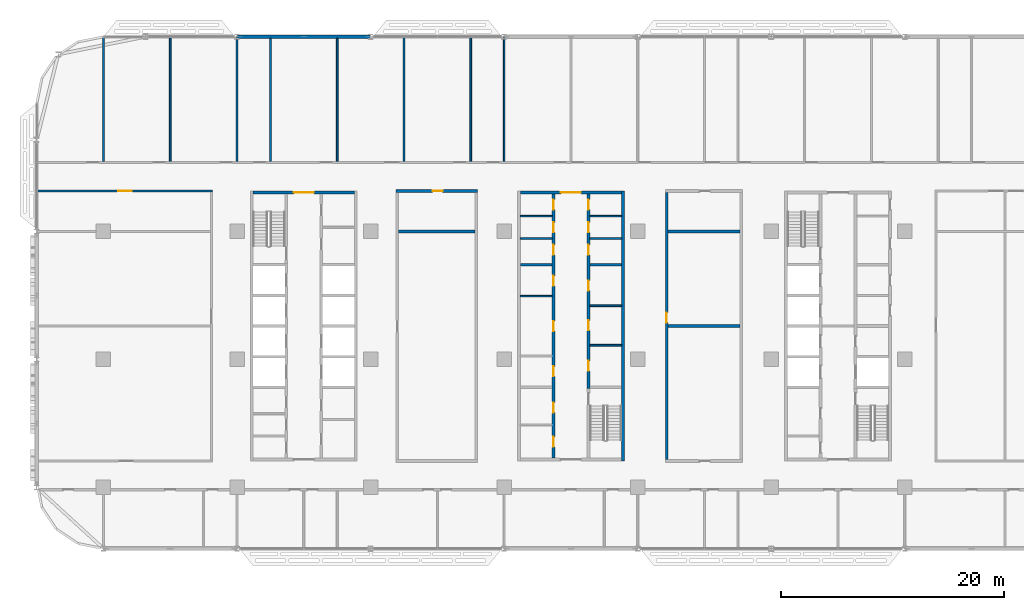
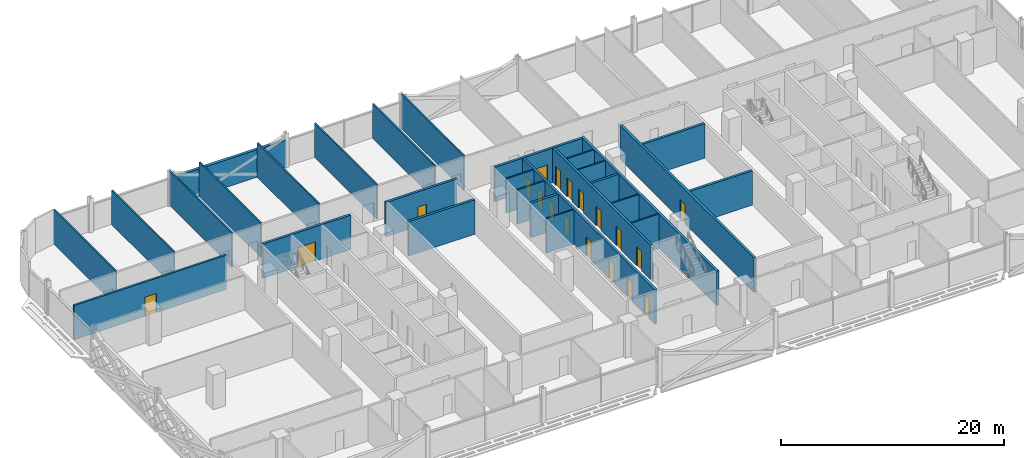
# One storey, part 15 of 29: 29 walls, 19 doors, 19 openings.
"""IFC4 building model written with IfcOpenShell, lengths in metres."""

from ifc_helpers import new_model, si_unit, direction, frame, frame_2d, origin, place, context, subcontext, project, spatial, rectangle, extrude, material, layer, layer_set, type_object, element, fill, save


model = new_model("IFC4")

# Units and contexts
model_context = context("Model", 3, precision=1e-05, world=origin(), true_north=direction((0.0, 1.0)))
body_context = subcontext(model_context, "Body", "Model", "MODEL_VIEW")
ifc_project = project(units=[si_unit("LENGTHUNIT", "METRE"), si_unit("AREAUNIT", "SQUARE_METRE"), si_unit("VOLUMEUNIT", "CUBIC_METRE"), si_unit("PLANEANGLEUNIT", "RADIAN"), si_unit("MASSUNIT", "GRAM", prefix="KILO")], contexts=[model_context])

# Site, building, storey
site_placement = place(None, origin())
site = spatial("IfcSite", under=ifc_project, at=site_placement, CompositionType="ELEMENT")
building_placement = place(site_placement, origin())
building = spatial("IfcBuilding", under=site, at=building_placement, Name="Mahtab Terrace Research Tower", CompositionType="ELEMENT")
storey_placement = place(building_placement, frame((0.0, 0.0, 142.5)))
storey = spatial("IfcBuildingStorey", under=building, at=storey_placement, Name="L33", CompositionType="ELEMENT", Elevation=142.5)

# Walls
ifc_material_1 = material(Name="Gypsum board partition")
ifc_layer_1 = layer(ifc_material_1, 0.14990234375)
ifc_layer_set_1 = layer_set([ifc_layer_1], Name="Core partition 150")
wall_type_1 = type_object("IfcWallType", Name="Core partition 150", PredefinedType="PARTITIONING", material=ifc_layer_set_1)
for number, where, z_axis, x_axis, name in (
    (1, (-4.550048828125, 5.6875, 0.0), (0.0, 0.0, 1.0), (1.0, 0.0, 0.0), "Core wall B pWL269"),
    (2, (1.699951171875, 1.280029296875, 0.0), (0.0, 0.0, 1.0), (1.0, 0.0, 0.0), "Core wall B pEL-172"),
    (3, (1.699951171875, 4.827392578125, 0.0), (0.0, 0.0, 1.0), (1.0, 0.0, 0.0), "Core wall B pEL183"),
    (4, (-4.550048828125, 10.875, 0.0), (0.0, 0.0, 1.0), (1.0, 0.0, 0.0), "Core wall B pWN788"),
    (5, (-4.550048828125, 12.875, 0.0), (0.0, 0.0, 1.0), (1.0, 0.0, 0.0), "Core wall B pWN988"),
    (6, (1.699951171875, 10.875, 0.0), (0.0, 0.0, 1.0), (1.0, 0.0, 0.0), "Core wall B pEN788"),
    (7, (1.699951171875, 12.875, 0.0), (0.0, 0.0, 1.0), (1.0, 0.0, 0.0), "Core wall B pEN988"),
):
    element("IfcWall", number, at=place(storey_placement, frame(where, z_axis=z_axis, x_axis=x_axis)), inside=storey, type_object=wall_type_1, Name=name, PredefinedType="PARTITIONING", context=body_context, shape_type="SweptSolid", body=[
        extrude(rectangle(XDim=2.85009765625, YDim=0.14990234375, at=frame_2d((1.425048828125, 0.0))), origin(), (0.0, 0.0, 1.0), 3.760009765625),
    ])

# Wall, opening, door
ifc_material_2 = material(Name="Concrete C70/85", Category="concrete")
ifc_layer_2 = layer(ifc_material_2, 0.25)
ifc_layer_set_2 = layer_set([ifc_layer_2], Name="Core wall 250")
wall_type_2 = type_object("IfcWallType", Name="Core wall 250", PredefinedType="SOLIDWALL", material=ifc_layer_set_2)
wall_1_placement = place(storey_placement, frame((-28.550048828125, 15.0, 0.0), z_axis=(0.0, 0.0, 1.0), x_axis=(1.0, 0.0, 0.0)))
wall_1 = element("IfcWall", 8, at=wall_1_placement, inside=storey, type_object=wall_type_2, Name="Core wall A endN", PredefinedType="SOLIDWALL", context=body_context, shape_type="SweptSolid", body=[
    extrude(rectangle(XDim=9.10009765625, YDim=0.25, at=frame_2d((4.550048828125, 0.0))), origin(), (0.0, 0.0, 1.0), 3.760009765625),
])
opening_1_placement = place(wall_1_placement, frame((3.64990234375, 0.0, 0.0)))
opening_1 = element("IfcOpeningElement", 9, at=opening_1_placement, cuts=wall_1, Name="Opening A-N1", PredefinedType="OPENING", context=body_context, shape_type="SweptSolid", body=[
    extrude(rectangle(XDim=1.800048828125, YDim=2.10009765625, at=frame_2d((0.89990234375, 1.050048828125))), frame((0.0, 0.135009765625, 0.0), z_axis=(0.0, -1.0, 0.0), x_axis=(1.0, 0.0, 0.0)), (0.0, 0.0, 1.0), 0.27001953125),
])
ifc_material_3 = material(Name="Steel fire door", Category="steel")
door_type_1 = type_object("IfcDoorType", Name="Lobby double door 1800x2100 1 HR", OperationType="DOUBLE_DOOR_SINGLE_SWING", PredefinedType="DOOR", material=ifc_material_3)
door_1_placement = place(opening_1_placement, origin())
door_1 = element("IfcDoor", 10, at=door_1_placement, inside=storey, type_object=door_type_1, Name="Core entrance door A N", OperationType="DOUBLE_DOOR_SINGLE_SWING", OverallHeight=2.10009765625, OverallWidth=1.800048828125, PredefinedType="DOOR", context=body_context, shape_type="SweptSolid", body=[
    extrude(rectangle(XDim=1.800048828125, YDim=2.10009765625, at=frame_2d((0.89990234375, 1.050048828125))), frame((0.0, 0.02490234375, 0.0), z_axis=(0.0, -1.0, 0.0), x_axis=(1.0, 0.0, 0.0)), (0.0, 0.0, 1.0), 0.050048828125),
])
fill(opening_1, door_1)

# Wall
wall_2_placement = place(storey_placement, frame((4.675048828125, -9.125, 0.0), z_axis=(0.0, 0.0, 1.0), x_axis=(0.0, 1.0, 0.0)))
element("IfcWall", 11, at=wall_2_placement, inside=storey, type_object=wall_type_2, Name="Core wall B outerE", PredefinedType="SOLIDWALL", context=body_context, shape_type="SweptSolid", body=[
    extrude(rectangle(XDim=24.25, YDim=0.25, at=frame_2d((12.125, 0.0))), origin(), (0.0, 0.0, 1.0), 3.760009765625),
])

# Wall, opening, door
wall_3_placement = place(storey_placement, frame((-4.550048828125, 15.0, 0.0), z_axis=(0.0, 0.0, 1.0), x_axis=(1.0, 0.0, 0.0)))
wall_3 = element("IfcWall", 12, at=wall_3_placement, inside=storey, type_object=wall_type_2, Name="Core wall B endN", PredefinedType="SOLIDWALL", context=body_context, shape_type="SweptSolid", body=[
    extrude(rectangle(XDim=9.10009765625, YDim=0.25, at=frame_2d((4.550048828125, 0.0))), origin(), (0.0, 0.0, 1.0), 3.760009765625),
])
opening_2_placement = place(wall_3_placement, frame((3.64990234375, 0.0, 0.0)))
opening_2 = element("IfcOpeningElement", 13, at=opening_2_placement, cuts=wall_3, Name="Opening B-N1", PredefinedType="OPENING", context=body_context, shape_type="SweptSolid", body=[
    extrude(rectangle(XDim=1.800048828125, YDim=2.10009765625, at=frame_2d((0.89990234375, 1.050048828125))), frame((0.0, 0.135009765625, 0.0), z_axis=(0.0, -1.0, 0.0), x_axis=(1.0, 0.0, 0.0)), (0.0, 0.0, 1.0), 0.27001953125),
])
door_2_placement = place(opening_2_placement, origin())
door_2 = element("IfcDoor", 14, at=door_2_placement, inside=storey, type_object=door_type_1, Name="Core entrance door B N", OperationType="DOUBLE_DOOR_SINGLE_SWING", OverallHeight=2.10009765625, OverallWidth=1.800048828125, PredefinedType="DOOR", context=body_context, shape_type="SweptSolid", body=[
    extrude(rectangle(XDim=1.800048828125, YDim=2.10009765625, at=frame_2d((0.89990234375, 1.050048828125))), frame((0.0, 0.02490234375, 0.0), z_axis=(0.0, -1.0, 0.0), x_axis=(1.0, 0.0, 0.0)), (0.0, 0.0, 1.0), 0.050048828125),
])
fill(opening_2, door_2)

# Wall, openings, doors
wall_4_placement = place(storey_placement, frame((-1.574951171875, -8.875, 0.0), z_axis=(0.0, 0.0, 1.0), x_axis=(0.0, 1.0, 0.0)))
wall_4 = element("IfcWall", 15, at=wall_4_placement, inside=storey, type_object=wall_type_2, Name="Core wall B innerWSLN", PredefinedType="SOLIDWALL", context=body_context, shape_type="SweptSolid", body=[
    extrude(rectangle(XDim=23.75, YDim=0.25, at=frame_2d((11.875, 0.0))), origin(), (0.0, 0.0, 1.0), 3.760009765625),
])
opening_3_placement = place(wall_4_placement, frame((7.356201171875, 0.0, 0.0)))
opening_3 = element("IfcOpeningElement", 16, at=opening_3_placement, cuts=wall_4, Name="Opening B-R1", PredefinedType="OPENING", context=body_context, shape_type="SweptSolid", body=[
    extrude(rectangle(XDim=0.89990234375, YDim=2.10009765625, at=frame_2d((0.449951171875, 1.050048828125))), frame((0.0, 0.135009765625, 0.0), z_axis=(0.0, -1.0, 0.0), x_axis=(1.0, 0.0, 0.0)), (0.0, 0.0, 1.0), 0.27001953125),
])
opening_4_placement = place(wall_4_placement, frame((11.425048828125, 0.0, 0.0)))
opening_4 = element("IfcOpeningElement", 17, at=opening_4_placement, cuts=wall_4, Name="Opening B-R2", PredefinedType="OPENING", context=body_context, shape_type="SweptSolid", body=[
    extrude(rectangle(XDim=0.89990234375, YDim=2.10009765625, at=frame_2d((0.449951171875, 1.050048828125))), frame((0.0, 0.135009765625, 0.0), z_axis=(0.0, -1.0, 0.0), x_axis=(1.0, 0.0, 0.0)), (0.0, 0.0, 1.0), 0.27001953125),
])
opening_5_placement = place(wall_4_placement, frame((15.493896484375, 0.0, 0.0)))
opening_5 = element("IfcOpeningElement", 18, at=opening_5_placement, cuts=wall_4, Name="Opening B-R3", PredefinedType="OPENING", context=body_context, shape_type="SweptSolid", body=[
    extrude(rectangle(XDim=0.89990234375, YDim=2.10009765625, at=frame_2d((0.449951171875, 1.050048828125))), frame((0.0, 0.135009765625, 0.0), z_axis=(0.0, -1.0, 0.0), x_axis=(1.0, 0.0, 0.0)), (0.0, 0.0, 1.0), 0.27001953125),
])
opening_6_placement = place(wall_4_placement, frame((1.012451171875, 0.0, 0.0)))
opening_6 = element("IfcOpeningElement", 19, at=opening_6_placement, cuts=wall_4, Name="Opening B-R7", PredefinedType="OPENING", context=body_context, shape_type="SweptSolid", body=[
    extrude(rectangle(XDim=0.89990234375, YDim=2.10009765625, at=frame_2d((0.449951171875, 1.050048828125))), frame((0.0, 0.135009765625, 0.0), z_axis=(0.0, -1.0, 0.0), x_axis=(1.0, 0.0, 0.0)), (0.0, 0.0, 1.0), 0.27001953125),
])
opening_7_placement = place(wall_4_placement, frame((4.08740234375, 0.0, 0.0)))
opening_7 = element("IfcOpeningElement", 20, at=opening_7_placement, cuts=wall_4, Name="Opening B-R8", PredefinedType="OPENING", context=body_context, shape_type="SweptSolid", body=[
    extrude(rectangle(XDim=0.89990234375, YDim=2.10009765625, at=frame_2d((0.449951171875, 1.050048828125))), frame((0.0, 0.135009765625, 0.0), z_axis=(0.0, -1.0, 0.0), x_axis=(1.0, 0.0, 0.0)), (0.0, 0.0, 1.0), 0.27001953125),
])
opening_8_placement = place(wall_4_placement, frame((18.262451171875, 0.0, 0.0)))
opening_8 = element("IfcOpeningElement", 21, at=opening_8_placement, cuts=wall_4, Name="Opening B-R9", PredefinedType="OPENING", context=body_context, shape_type="SweptSolid", body=[
    extrude(rectangle(XDim=0.89990234375, YDim=2.10009765625, at=frame_2d((0.449951171875, 1.050048828125))), frame((0.0, 0.135009765625, 0.0), z_axis=(0.0, -1.0, 0.0), x_axis=(1.0, 0.0, 0.0)), (0.0, 0.0, 1.0), 0.27001953125),
])
opening_9_placement = place(wall_4_placement, frame((20.300048828125, 0.0, 0.0)))
opening_9 = element("IfcOpeningElement", 22, at=opening_9_placement, cuts=wall_4, Name="Opening B-R10", PredefinedType="OPENING", context=body_context, shape_type="SweptSolid", body=[
    extrude(rectangle(XDim=0.89990234375, YDim=2.10009765625, at=frame_2d((0.449951171875, 1.050048828125))), frame((0.0, 0.135009765625, 0.0), z_axis=(0.0, -1.0, 0.0), x_axis=(1.0, 0.0, 0.0)), (0.0, 0.0, 1.0), 0.27001953125),
])
opening_10_placement = place(wall_4_placement, frame((22.33740234375, 0.0, 0.0)))
opening_10 = element("IfcOpeningElement", 23, at=opening_10_placement, cuts=wall_4, Name="Opening B-R11", PredefinedType="OPENING", context=body_context, shape_type="SweptSolid", body=[
    extrude(rectangle(XDim=0.89990234375, YDim=2.10009765625, at=frame_2d((0.449951171875, 1.050048828125))), frame((0.0, 0.135009765625, 0.0), z_axis=(0.0, -1.0, 0.0), x_axis=(1.0, 0.0, 0.0)), (0.0, 0.0, 1.0), 0.27001953125),
])
door_type_2 = type_object("IfcDoorType", Name="Room door 900x2100 1 HR", OperationType="NOTDEFINED", PredefinedType="DOOR", material=ifc_material_3)
door_3_placement = place(opening_3_placement, origin())
door_3 = element("IfcDoor", 24, at=door_3_placement, inside=storey, type_object=door_type_2, Name="Comms room door", OperationType="SINGLE_SWING_LEFT", OverallHeight=2.10009765625, OverallWidth=0.89990234375, PredefinedType="DOOR", context=body_context, shape_type="SweptSolid", body=[
    extrude(rectangle(XDim=0.89990234375, YDim=2.10009765625, at=frame_2d((0.449951171875, 1.050048828125))), frame((0.0, 0.02490234375, 0.0), z_axis=(0.0, -1.0, 0.0), x_axis=(1.0, 0.0, 0.0)), (0.0, 0.0, 1.0), 0.050048828125),
])
fill(opening_3, door_3)
door_4_placement = place(opening_4_placement, origin())
door_4 = element("IfcDoor", 25, at=door_4_placement, inside=storey, type_object=door_type_2, Name="Meeting alcove door", OperationType="SINGLE_SWING_RIGHT", OverallHeight=2.10009765625, OverallWidth=0.89990234375, PredefinedType="DOOR", context=body_context, shape_type="SweptSolid", body=[
    extrude(rectangle(XDim=0.89990234375, YDim=2.10009765625, at=frame_2d((0.449951171875, 1.050048828125))), frame((0.0, 0.02490234375, 0.0), z_axis=(0.0, -1.0, 0.0), x_axis=(1.0, 0.0, 0.0)), (0.0, 0.0, 1.0), 0.050048828125),
])
fill(opening_4, door_4)
door_5_placement = place(opening_5_placement, origin())
door_5 = element("IfcDoor", 26, at=door_5_placement, inside=storey, type_object=door_type_2, Name="Linen store door", OperationType="SINGLE_SWING_LEFT", OverallHeight=2.10009765625, OverallWidth=0.89990234375, PredefinedType="DOOR", context=body_context, shape_type="SweptSolid", body=[
    extrude(rectangle(XDim=0.89990234375, YDim=2.10009765625, at=frame_2d((0.449951171875, 1.050048828125))), frame((0.0, 0.02490234375, 0.0), z_axis=(0.0, -1.0, 0.0), x_axis=(1.0, 0.0, 0.0)), (0.0, 0.0, 1.0), 0.050048828125),
])
fill(opening_5, door_5)
door_6_placement = place(opening_6_placement, origin())
door_6 = element("IfcDoor", 27, at=door_6_placement, inside=storey, type_object=door_type_2, Name="Housekeeping store door", OperationType="SINGLE_SWING_LEFT", OverallHeight=2.10009765625, OverallWidth=0.89990234375, PredefinedType="DOOR", context=body_context, shape_type="SweptSolid", body=[
    extrude(rectangle(XDim=0.89990234375, YDim=2.10009765625, at=frame_2d((0.449951171875, 1.050048828125))), frame((0.0, 0.02490234375, 0.0), z_axis=(0.0, -1.0, 0.0), x_axis=(1.0, 0.0, 0.0)), (0.0, 0.0, 1.0), 0.050048828125),
])
fill(opening_6, door_6)
door_7_placement = place(opening_7_placement, origin())
door_7 = element("IfcDoor", 28, at=door_7_placement, inside=storey, type_object=door_type_2, Name="Electrical riser room door", OperationType="SINGLE_SWING_RIGHT", OverallHeight=2.10009765625, OverallWidth=0.89990234375, PredefinedType="DOOR", context=body_context, shape_type="SweptSolid", body=[
    extrude(rectangle(XDim=0.89990234375, YDim=2.10009765625, at=frame_2d((0.449951171875, 1.050048828125))), frame((0.0, 0.02490234375, 0.0), z_axis=(0.0, -1.0, 0.0), x_axis=(1.0, 0.0, 0.0)), (0.0, 0.0, 1.0), 0.050048828125),
])
fill(opening_7, door_7)
door_8_placement = place(opening_8_placement, origin())
door_8 = element("IfcDoor", 29, at=door_8_placement, inside=storey, type_object=door_type_2, Name="Comms riser room door", OperationType="SINGLE_SWING_LEFT", OverallHeight=2.10009765625, OverallWidth=0.89990234375, PredefinedType="DOOR", context=body_context, shape_type="SweptSolid", body=[
    extrude(rectangle(XDim=0.89990234375, YDim=2.10009765625, at=frame_2d((0.449951171875, 1.050048828125))), frame((0.0, 0.02490234375, 0.0), z_axis=(0.0, -1.0, 0.0), x_axis=(1.0, 0.0, 0.0)), (0.0, 0.0, 1.0), 0.050048828125),
])
fill(opening_8, door_8)
door_9_placement = place(opening_9_placement, origin())
door_9 = element("IfcDoor", 30, at=door_9_placement, inside=storey, type_object=door_type_2, Name="Pantry door", OperationType="SINGLE_SWING_RIGHT", OverallHeight=2.10009765625, OverallWidth=0.89990234375, PredefinedType="DOOR", context=body_context, shape_type="SweptSolid", body=[
    extrude(rectangle(XDim=0.89990234375, YDim=2.10009765625, at=frame_2d((0.449951171875, 1.050048828125))), frame((0.0, 0.02490234375, 0.0), z_axis=(0.0, -1.0, 0.0), x_axis=(1.0, 0.0, 0.0)), (0.0, 0.0, 1.0), 0.050048828125),
])
fill(opening_9, door_9)
door_10_placement = place(opening_10_placement, origin())
door_10 = element("IfcDoor", 31, at=door_10_placement, inside=storey, type_object=door_type_2, Name="Cleaners store door", OperationType="SINGLE_SWING_LEFT", OverallHeight=2.10009765625, OverallWidth=0.89990234375, PredefinedType="DOOR", context=body_context, shape_type="SweptSolid", body=[
    extrude(rectangle(XDim=0.89990234375, YDim=2.10009765625, at=frame_2d((0.449951171875, 1.050048828125))), frame((0.0, 0.02490234375, 0.0), z_axis=(0.0, -1.0, 0.0), x_axis=(1.0, 0.0, 0.0)), (0.0, 0.0, 1.0), 0.050048828125),
])
fill(opening_10, door_10)

wall_5_placement = place(storey_placement, frame((1.574951171875, 14.875, 0.0), z_axis=(0.0, 0.0, 1.0), x_axis=(0.0, -1.0, 0.0)))
wall_5 = element("IfcWall", 32, at=wall_5_placement, inside=storey, type_object=wall_type_2, Name="Core wall B innerELN", PredefinedType="SOLIDWALL", context=body_context, shape_type="SweptSolid", body=[
    extrude(rectangle(XDim=17.5, YDim=0.25, at=frame_2d((8.75, 0.0))), origin(), (0.0, 0.0, 1.0), 3.760009765625),
])
opening_11_placement = place(wall_5_placement, frame((15.010009765625, 0.0, 0.0)))
opening_11 = element("IfcOpeningElement", 33, at=opening_11_placement, cuts=wall_5, Name="Opening B-R4", PredefinedType="OPENING", context=body_context, shape_type="SweptSolid", body=[
    extrude(rectangle(XDim=0.89990234375, YDim=2.10009765625, at=frame_2d((0.449951171875, 1.050048828125))), frame((0.0, 0.135009765625, 0.0), z_axis=(0.0, -1.0, 0.0), x_axis=(1.0, 0.0, 0.0)), (0.0, 0.0, 1.0), 0.27001953125),
])
opening_12_placement = place(wall_5_placement, frame((11.37109375, 0.0, 0.0)))
opening_12 = element("IfcOpeningElement", 34, at=opening_12_placement, cuts=wall_5, Name="Opening B-R5", PredefinedType="OPENING", context=body_context, shape_type="SweptSolid", body=[
    extrude(rectangle(XDim=0.89990234375, YDim=2.10009765625, at=frame_2d((0.449951171875, 1.050048828125))), frame((0.0, 0.135009765625, 0.0), z_axis=(0.0, -1.0, 0.0), x_axis=(1.0, 0.0, 0.0)), (0.0, 0.0, 1.0), 0.27001953125),
])
opening_13_placement = place(wall_5_placement, frame((7.7861328125, 0.0, 0.0)))
opening_13 = element("IfcOpeningElement", 35, at=opening_13_placement, cuts=wall_5, Name="Opening B-R6", PredefinedType="OPENING", context=body_context, shape_type="SweptSolid", body=[
    extrude(rectangle(XDim=0.89990234375, YDim=2.10009765625, at=frame_2d((0.449951171875, 1.050048828125))), frame((0.0, 0.135009765625, 0.0), z_axis=(0.0, -1.0, 0.0), x_axis=(1.0, 0.0, 0.0)), (0.0, 0.0, 1.0), 0.27001953125),
])
opening_14_placement = place(wall_5_placement, frame((4.58740234375, 0.0, 0.0)))
opening_14 = element("IfcOpeningElement", 36, at=opening_14_placement, cuts=wall_5, Name="Opening B-R12", PredefinedType="OPENING", context=body_context, shape_type="SweptSolid", body=[
    extrude(rectangle(XDim=0.89990234375, YDim=2.10009765625, at=frame_2d((0.449951171875, 1.050048828125))), frame((0.0, 0.135009765625, 0.0), z_axis=(0.0, -1.0, 0.0), x_axis=(1.0, 0.0, 0.0)), (0.0, 0.0, 1.0), 0.27001953125),
])
opening_15_placement = place(wall_5_placement, frame((2.550048828125, 0.0, 0.0)))
opening_15 = element("IfcOpeningElement", 37, at=opening_15_placement, cuts=wall_5, Name="Opening B-R13", PredefinedType="OPENING", context=body_context, shape_type="SweptSolid", body=[
    extrude(rectangle(XDim=0.89990234375, YDim=2.10009765625, at=frame_2d((0.449951171875, 1.050048828125))), frame((0.0, 0.135009765625, 0.0), z_axis=(0.0, -1.0, 0.0), x_axis=(1.0, 0.0, 0.0)), (0.0, 0.0, 1.0), 0.27001953125),
])
opening_16_placement = place(wall_5_placement, frame((0.512451171875, 0.0, 0.0)))
opening_16 = element("IfcOpeningElement", 38, at=opening_16_placement, cuts=wall_5, Name="Opening B-R14", PredefinedType="OPENING", context=body_context, shape_type="SweptSolid", body=[
    extrude(rectangle(XDim=0.89990234375, YDim=2.10009765625, at=frame_2d((0.449951171875, 1.050048828125))), frame((0.0, 0.135009765625, 0.0), z_axis=(0.0, -1.0, 0.0), x_axis=(1.0, 0.0, 0.0)), (0.0, 0.0, 1.0), 0.27001953125),
])
door_11_placement = place(opening_11_placement, origin())
door_11 = element("IfcDoor", 39, at=door_11_placement, inside=storey, type_object=door_type_2, Name="Battery room door", OperationType="SINGLE_SWING_RIGHT", OverallHeight=2.10009765625, OverallWidth=0.89990234375, PredefinedType="DOOR", context=body_context, shape_type="SweptSolid", body=[
    extrude(rectangle(XDim=0.89990234375, YDim=2.10009765625, at=frame_2d((0.449951171875, 1.050048828125))), frame((0.0, 0.02490234375, 0.0), z_axis=(0.0, -1.0, 0.0), x_axis=(1.0, 0.0, 0.0)), (0.0, 0.0, 1.0), 0.050048828125),
])
fill(opening_11, door_11)
door_12_placement = place(opening_12_placement, origin())
door_12 = element("IfcDoor", 40, at=door_12_placement, inside=storey, type_object=door_type_2, Name="Cooling plant room door", OperationType="SINGLE_SWING_LEFT", OverallHeight=2.10009765625, OverallWidth=0.89990234375, PredefinedType="DOOR", context=body_context, shape_type="SweptSolid", body=[
    extrude(rectangle(XDim=0.89990234375, YDim=2.10009765625, at=frame_2d((0.449951171875, 1.050048828125))), frame((0.0, 0.02490234375, 0.0), z_axis=(0.0, -1.0, 0.0), x_axis=(1.0, 0.0, 0.0)), (0.0, 0.0, 1.0), 0.050048828125),
])
fill(opening_12, door_12)
door_13_placement = place(opening_13_placement, origin())
door_13 = element("IfcDoor", 41, at=door_13_placement, inside=storey, type_object=door_type_2, Name="Spare parts store door", OperationType="SINGLE_SWING_RIGHT", OverallHeight=2.10009765625, OverallWidth=0.89990234375, PredefinedType="DOOR", context=body_context, shape_type="SweptSolid", body=[
    extrude(rectangle(XDim=0.89990234375, YDim=2.10009765625, at=frame_2d((0.449951171875, 1.050048828125))), frame((0.0, 0.02490234375, 0.0), z_axis=(0.0, -1.0, 0.0), x_axis=(1.0, 0.0, 0.0)), (0.0, 0.0, 1.0), 0.050048828125),
])
fill(opening_13, door_13)
door_14_placement = place(opening_14_placement, origin())
door_14 = element("IfcDoor", 42, at=door_14_placement, inside=storey, type_object=door_type_2, Name="Male WC door", OperationType="SINGLE_SWING_RIGHT", OverallHeight=2.10009765625, OverallWidth=0.89990234375, PredefinedType="DOOR", context=body_context, shape_type="SweptSolid", body=[
    extrude(rectangle(XDim=0.89990234375, YDim=2.10009765625, at=frame_2d((0.449951171875, 1.050048828125))), frame((0.0, 0.02490234375, 0.0), z_axis=(0.0, -1.0, 0.0), x_axis=(1.0, 0.0, 0.0)), (0.0, 0.0, 1.0), 0.050048828125),
])
fill(opening_14, door_14)
door_15_placement = place(opening_15_placement, origin())
door_15 = element("IfcDoor", 43, at=door_15_placement, inside=storey, type_object=door_type_2, Name="Female WC door", OperationType="SINGLE_SWING_LEFT", OverallHeight=2.10009765625, OverallWidth=0.89990234375, PredefinedType="DOOR", context=body_context, shape_type="SweptSolid", body=[
    extrude(rectangle(XDim=0.89990234375, YDim=2.10009765625, at=frame_2d((0.449951171875, 1.050048828125))), frame((0.0, 0.02490234375, 0.0), z_axis=(0.0, -1.0, 0.0), x_axis=(1.0, 0.0, 0.0)), (0.0, 0.0, 1.0), 0.050048828125),
])
fill(opening_15, door_15)
door_16_placement = place(opening_16_placement, origin())
door_16 = element("IfcDoor", 44, at=door_16_placement, inside=storey, type_object=door_type_2, Name="Accessible WC door", OperationType="SINGLE_SWING_RIGHT", OverallHeight=2.10009765625, OverallWidth=0.89990234375, PredefinedType="DOOR", context=body_context, shape_type="SweptSolid", body=[
    extrude(rectangle(XDim=0.89990234375, YDim=2.10009765625, at=frame_2d((0.449951171875, 1.050048828125))), frame((0.0, 0.02490234375, 0.0), z_axis=(0.0, -1.0, 0.0), x_axis=(1.0, 0.0, 0.0)), (0.0, 0.0, 1.0), 0.050048828125),
])
fill(opening_16, door_16)

# Walls
for number, where, z_axis, x_axis, name in (
    (45, (-4.550048828125, 8.5, 0.0), (0.0, 0.0, 1.0), (1.0, 0.0, 0.0), "Core wall B divW4"),
    (46, (1.699951171875, 8.5, 0.0), (0.0, 0.0, 1.0), (1.0, 0.0, 0.0), "Core wall B divE4"),
):
    element("IfcWall", number, at=place(storey_placement, frame(where, z_axis=z_axis, x_axis=x_axis)), inside=storey, type_object=wall_type_2, Name=name, PredefinedType="SOLIDWALL", context=body_context, shape_type="SweptSolid", body=[
        extrude(rectangle(XDim=2.85009765625, YDim=0.25, at=frame_2d((1.425048828125, 0.0))), origin(), (0.0, 0.0, 1.0), 3.760009765625),
    ])
ifc_material_4 = material(Name="Black aluminium cladding panel", Category="aluminium")
ifc_layer_3 = layer(ifc_material_4, 0.300048828125)
ifc_layer_set_3 = layer_set([ifc_layer_3], Name="Opaque facade wall 300")
wall_type_3 = type_object("IfcWallType", Name="Opaque facade wall 300", PredefinedType="NOTDEFINED", material=ifc_layer_set_3)
wall_6_placement = place(storey_placement, frame((-18.017822265625, 29.0, 0.0), z_axis=(0.0, 0.0, 1.0), x_axis=(-1.0, 0.0, 0.0)))
element("IfcWall", 47, at=wall_6_placement, inside=storey, type_object=wall_type_3, Name="Opaque facade wall L33 N8", PredefinedType="NOTDEFINED", context=body_context, shape_type="SweptSolid", body=[
    extrude(rectangle(XDim=11.96435546875, YDim=0.300048828125, at=frame_2d((5.982177734375, 0.0))), origin(), (0.0, 0.0, 1.0), 3.003173828125),
])
ifc_material_5 = material(Name="Masonry control area wall", Category="masonry")
ifc_layer_4 = layer(ifc_material_5, 0.25)
ifc_layer_set_4 = layer_set([ifc_layer_4], Name="WALL CONTROL AREA 250")
wall_type_4 = type_object("IfcWallType", Name="WALL CONTROL AREA 250", PredefinedType="PARTITIONING", material=ifc_layer_set_4)
wall_7_placement = place(storey_placement, frame((8.72509765625, 3.0, 0.0), z_axis=(0.0, 0.0, 1.0), x_axis=(1.0, 0.0, 0.0)))
element("IfcWall", 48, at=wall_7_placement, inside=storey, type_object=wall_type_4, Name="L33-W015", PredefinedType="PARTITIONING", context=body_context, shape_type="SweptSolid", body=[
    extrude(rectangle(XDim=6.449951171875, YDim=0.25, at=frame_2d((3.22509765625, 0.0))), origin(), (0.0, 0.0, 1.0), 3.760009765625),
])
wall_8_placement = place(storey_placement, frame((-15.47509765625, 11.5, 0.0), z_axis=(0.0, 0.0, 1.0), x_axis=(1.0, 0.0, 0.0)))
element("IfcWall", 49, at=wall_8_placement, inside=storey, type_object=wall_type_4, Name="L33-W018", PredefinedType="PARTITIONING", context=body_context, shape_type="SweptSolid", body=[
    extrude(rectangle(XDim=6.85009765625, YDim=0.25, at=frame_2d((3.425048828125, 0.0))), origin(), (0.0, 0.0, 1.0), 3.760009765625),
])
wall_9_placement = place(storey_placement, frame((8.72509765625, 11.5, 0.0), z_axis=(0.0, 0.0, 1.0), x_axis=(1.0, 0.0, 0.0)))
element("IfcWall", 50, at=wall_9_placement, inside=storey, type_object=wall_type_4, Name="L33-W019", PredefinedType="PARTITIONING", context=body_context, shape_type="SweptSolid", body=[
    extrude(rectangle(XDim=6.449951171875, YDim=0.25, at=frame_2d((3.22509765625, 0.0))), origin(), (0.0, 0.0, 1.0), 3.760009765625),
])

# Wall, opening, door
wall_10_placement = place(storey_placement, frame((-15.72509765625, 15.125, 0.0), z_axis=(0.0, 0.0, 1.0), x_axis=(1.0, 0.0, 0.0)))
wall_10 = element("IfcWall", 51, at=wall_10_placement, inside=storey, type_object=wall_type_4, Name="L33-W023", PredefinedType="PARTITIONING", context=body_context, shape_type="SweptSolid", body=[
    extrude(rectangle(XDim=7.35009765625, YDim=0.25, at=frame_2d((3.675048828125, 0.0))), origin(), (0.0, 0.0, 1.0), 3.760009765625),
])
opening_17_placement = place(wall_10_placement, frame((3.300048828125, 0.0, 0.0)))
opening_17 = element("IfcOpeningElement", 52, at=opening_17_placement, cuts=wall_10, Name="Opening L33-125", PredefinedType="OPENING", context=body_context, shape_type="SweptSolid", body=[
    extrude(rectangle(XDim=0.89990234375, YDim=2.10009765625, at=frame_2d((0.449951171875, 1.050048828125))), frame((0.0, 0.135009765625, 0.0), z_axis=(0.0, -1.0, 0.0), x_axis=(1.0, 0.0, 0.0)), (0.0, 0.0, 1.0), 0.27001953125),
])
ifc_material_6 = material(Name="Timber door leaf in steel frame", Category="steel")
door_type_3 = type_object("IfcDoorType", Name="DOOR 0900X2100 FD120", OperationType="SINGLE_SWING_LEFT", PredefinedType="DOOR", material=ifc_material_6)
door_17_placement = place(opening_17_placement, origin())
door_17 = element("IfcDoor", 53, at=door_17_placement, inside=storey, type_object=door_type_3, Name="Door L33-125", OperationType="SINGLE_SWING_LEFT", OverallHeight=2.10009765625, OverallWidth=0.89990234375, PredefinedType="DOOR", context=body_context, shape_type="SweptSolid", body=[
    extrude(rectangle(XDim=0.89990234375, YDim=2.10009765625, at=frame_2d((0.449951171875, 1.050048828125))), frame((0.0, 0.02490234375, 0.0), z_axis=(0.0, -1.0, 0.0), x_axis=(1.0, 0.0, 0.0)), (0.0, 0.0, 1.0), 0.050048828125),
])
fill(opening_17, door_17)

wall_11_placement = place(storey_placement, frame((8.60009765625, -9.0, 0.0), z_axis=(0.0, 0.0, 1.0), x_axis=(0.0, 1.0, 0.0)))
wall_11 = element("IfcWall", 54, at=wall_11_placement, inside=storey, type_object=wall_type_4, Name="L33-W049", PredefinedType="PARTITIONING", context=body_context, shape_type="SweptSolid", body=[
    extrude(rectangle(XDim=24.0, YDim=0.25, at=frame_2d((12.0, 0.0))), origin(), (0.0, 0.0, 1.0), 3.760009765625),
])
opening_18_placement = place(wall_11_placement, frame((12.300048828125, 0.0, 0.0)))
opening_18 = element("IfcOpeningElement", 55, at=opening_18_placement, cuts=wall_11, Name="Opening L33-123", PredefinedType="OPENING", context=body_context, shape_type="SweptSolid", body=[
    extrude(rectangle(XDim=0.89990234375, YDim=2.10009765625, at=frame_2d((0.449951171875, 1.050048828125))), frame((0.0, 0.135009765625, 0.0), z_axis=(0.0, -1.0, 0.0), x_axis=(1.0, 0.0, 0.0)), (0.0, 0.0, 1.0), 0.27001953125),
])
door_18_placement = place(opening_18_placement, origin())
door_18 = element("IfcDoor", 56, at=door_18_placement, inside=storey, type_object=door_type_3, Name="Door L33-123", OperationType="SINGLE_SWING_LEFT", OverallHeight=2.10009765625, OverallWidth=0.89990234375, PredefinedType="DOOR", context=body_context, shape_type="SweptSolid", body=[
    extrude(rectangle(XDim=0.89990234375, YDim=2.10009765625, at=frame_2d((0.449951171875, 1.050048828125))), frame((0.0, 0.02490234375, 0.0), z_axis=(0.0, -1.0, 0.0), x_axis=(1.0, 0.0, 0.0)), (0.0, 0.0, 1.0), 0.050048828125),
])
fill(opening_18, door_18)

ifc_material_7 = material(Name="Gypsum board corridor wall on steel studs", Category="steel")
ifc_layer_5 = layer(ifc_material_7, 0.199951171875)
ifc_layer_set_5 = layer_set([ifc_layer_5], Name="WALL CORRIDOR 200")
wall_type_5 = type_object("IfcWallType", Name="WALL CORRIDOR 200", PredefinedType="PARTITIONING", material=ifc_layer_set_5)
wall_12_placement = place(storey_placement, frame((-47.97509765625, 15.125, 0.0), z_axis=(0.0, 0.0, 1.0), x_axis=(1.0, 0.0, 0.0)))
wall_12 = element("IfcWall", 57, at=wall_12_placement, inside=storey, type_object=wall_type_5, Name="L33-W022", PredefinedType="PARTITIONING", context=body_context, shape_type="SweptSolid", body=[
    extrude(rectangle(XDim=15.775146484375, YDim=0.199951171875, at=frame_2d((7.8876953125, 0.0))), origin(), (0.0, 0.0, 1.0), 3.760009765625),
])
opening_19_placement = place(wall_12_placement, frame((7.300048828125, 0.0, 0.0)))
opening_19 = element("IfcOpeningElement", 58, at=opening_19_placement, cuts=wall_12, Name="Opening L33-124", PredefinedType="OPENING", context=body_context, shape_type="SweptSolid", body=[
    extrude(rectangle(XDim=1.199951171875, YDim=2.10009765625, at=frame_2d((0.60009765625, 1.050048828125))), frame((0.0, 0.10986328125, 0.0), z_axis=(0.0, -1.0, 0.0), x_axis=(1.0, 0.0, 0.0)), (0.0, 0.0, 1.0), 0.219970703125),
])
door_type_4 = type_object("IfcDoorType", Name="DOOR 1200X2100 FD30S", OperationType="SINGLE_SWING_LEFT", PredefinedType="DOOR", material=ifc_material_6)
door_19_placement = place(opening_19_placement, origin())
door_19 = element("IfcDoor", 59, at=door_19_placement, inside=storey, type_object=door_type_4, Name="Door L33-124", OperationType="SINGLE_SWING_LEFT", OverallHeight=2.10009765625, OverallWidth=1.199951171875, PredefinedType="DOOR", context=body_context, shape_type="SweptSolid", body=[
    extrude(rectangle(XDim=1.199951171875, YDim=2.10009765625, at=frame_2d((0.60009765625, 1.050048828125))), frame((0.0, 0.02490234375, 0.0), z_axis=(0.0, -1.0, 0.0), x_axis=(1.0, 0.0, 0.0)), (0.0, 0.0, 1.0), 0.050048828125),
])
fill(opening_19, door_19)

# Walls
ifc_material_8 = material(Name="Gypsum board partition on steel studs", Category="steel")
ifc_layer_6 = layer(ifc_material_8, 0.14990234375)
ifc_layer_set_6 = layer_set([ifc_layer_6], Name="WALL PARTITION 150")
wall_type_6 = type_object("IfcWallType", Name="WALL PARTITION 150", PredefinedType="PARTITIONING", material=ifc_layer_set_6)
for number, where, z_axis, x_axis, name in (
    (60, (-42.0, 17.800048828125, 0.0), (0.0, 0.0, 1.0), (0.0, 1.0, 0.0), "L33-W028"),
    (61, (-36.0, 17.800048828125, 0.0), (0.0, 0.0, 1.0), (0.0, 1.0, 0.0), "L33-W029"),
    (62, (-30.0, 17.800048828125, 0.0), (0.0, 0.0, 1.0), (0.0, 1.0, 0.0), "L33-W033"),
):
    element("IfcWall", number, at=place(storey_placement, frame(where, z_axis=z_axis, x_axis=x_axis)), inside=storey, type_object=wall_type_6, Name=name, PredefinedType="PARTITIONING", context=body_context, shape_type="SweptSolid", body=[
        extrude(rectangle(XDim=11.175048828125, YDim=0.14990234375, at=frame_2d((5.58740234375, 0.0))), origin(), (0.0, 0.0, 1.0), 3.760009765625),
    ])
for number, where, z_axis, x_axis, name in (
    (63, (-27.0, 17.800048828125, 0.0), (0.0, 0.0, 1.0), (0.0, 1.0, 0.0), "L33-W034"),
    (64, (-21.0, 17.800048828125, 0.0), (0.0, 0.0, 1.0), (0.0, 1.0, 0.0), "L33-W037"),
):
    element("IfcWall", number, at=place(storey_placement, frame(where, z_axis=z_axis, x_axis=x_axis)), inside=storey, type_object=wall_type_6, Name=name, PredefinedType="PARTITIONING", context=body_context, shape_type="SweptSolid", body=[
        extrude(rectangle(XDim=11.050048828125, YDim=0.14990234375, at=frame_2d((5.52490234375, 0.0))), origin(), (0.0, 0.0, 1.0), 3.760009765625),
    ])
for number, where, z_axis, x_axis, name in (
    (65, (-15.0, 17.800048828125, 0.0), (0.0, 0.0, 1.0), (0.0, 1.0, 0.0), "L33-W039"),
    (66, (-9.0, 17.800048828125, 0.0), (0.0, 0.0, 1.0), (0.0, 1.0, 0.0), "L33-W041"),
    (67, (-6.0, 17.800048828125, 0.0), (0.0, 0.0, 1.0), (0.0, 1.0, 0.0), "L33-W044"),
):
    element("IfcWall", number, at=place(storey_placement, frame(where, z_axis=z_axis, x_axis=x_axis)), inside=storey, type_object=wall_type_6, Name=name, PredefinedType="PARTITIONING", context=body_context, shape_type="SweptSolid", body=[
        extrude(rectangle(XDim=11.175048828125, YDim=0.14990234375, at=frame_2d((5.58740234375, 0.0))), origin(), (0.0, 0.0, 1.0), 3.760009765625),
    ])

save(model, "model.ifc")
